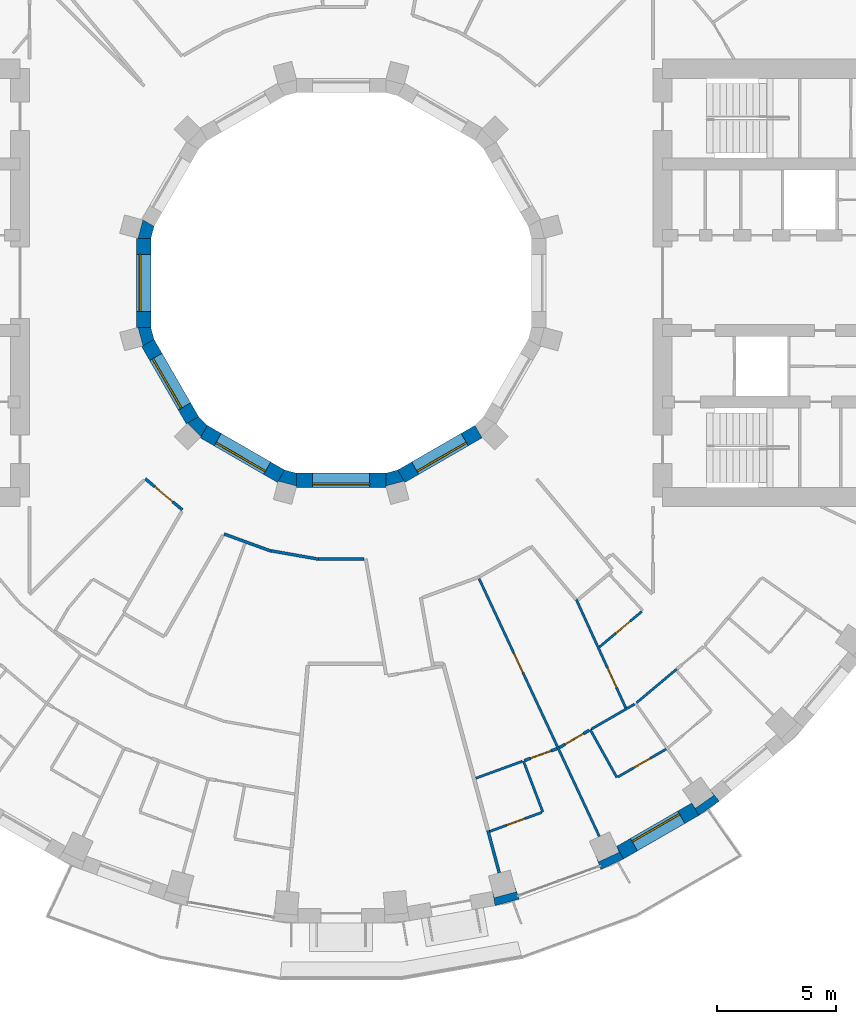
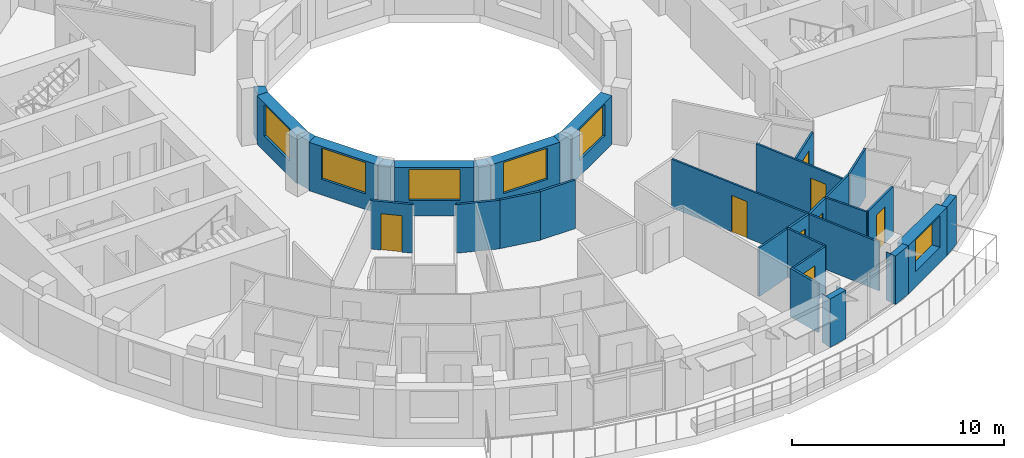
# One storey, part 8 of 16: 31 walls, 8 doors, 6 windows, 14 openings.
"""IFC4 building model written with IfcOpenShell, lengths in metres."""

from ifc_helpers import new_model, si_unit, direction, frame, frame_2d, origin, place, context, subcontext, project, spatial, polyline, rectangle, outline, extrude, material, layer, layer_set, type_object, element, fill, save


model = new_model("IFC4")

# Units and contexts
model_context = context("Model", 3, precision=1e-05, world=origin(), true_north=direction((0.0, 1.0)))
body_context = subcontext(model_context, "Body", "Model", "MODEL_VIEW")
ifc_project = project(units=[si_unit("LENGTHUNIT", "METRE"), si_unit("AREAUNIT", "SQUARE_METRE"), si_unit("VOLUMEUNIT", "CUBIC_METRE"), si_unit("PLANEANGLEUNIT", "RADIAN"), si_unit("MASSUNIT", "GRAM", prefix="KILO")], contexts=[model_context])

# Site, building, storey
site_placement = place(None, origin())
site = spatial("IfcSite", under=ifc_project, at=site_placement, CompositionType="ELEMENT")
building_placement = place(site_placement, origin())
building = spatial("IfcBuilding", under=site, at=building_placement, Name="Saqina Gate Tower", CompositionType="ELEMENT")
storey_placement = place(building_placement, frame((0.0, 0.0, 144.699951171875)))
storey = spatial("IfcBuildingStorey", under=building, at=storey_placement, Name="L41", CompositionType="ELEMENT", Elevation=144.699951171875)

# Walls
ifc_material_1 = material(Name="Brick masonry (buff)", Category="masonry")
wall_type_1 = type_object("IfcWallType", Name="BRICK PIER COPING BUFF", PredefinedType="SOLIDWALL", material=ifc_material_1)
wall_1_placement = place(storey_placement, origin())
element("IfcWall", 1, at=wall_1_placement, inside=storey, type_object=wall_type_1, Name="Pier cap L41 column 29", PredefinedType="SOLIDWALL", context=body_context, shape_type="SweptSolid", body=[
    extrude(outline(polyline([(6.466796875, -26.171875), (7.485595703125, -25.89892578125), (7.2802734375, -25.335205078125), (7.349853515625, -25.5947265625), (6.43212890625, -25.8408203125), (6.36279296875, -25.5810546875), (6.466796875, -26.171875)])), origin(), (0.0, 0.0, 1.0), 2.800048828125),
])
wall_2_placement = place(storey_placement, origin())
element("IfcWall", 2, at=wall_2_placement, inside=storey, type_object=wall_type_1, Name="Pier cap L41 column 30", PredefinedType="SOLIDWALL", context=body_context, shape_type="SweptSolid", body=[
    extrude(outline(polyline([(10.913330078125, -24.6513671875), (11.869140625, -24.205810546875), (11.569091796875, -23.68603515625), (11.6826171875, -23.9296875), (10.82177734375, -24.331298828125), (10.7080078125, -24.08740234375), (10.913330078125, -24.6513671875)])), origin(), (0.0, 0.0, 1.0), 2.800048828125),
])
wall_3_placement = place(storey_placement, origin())
element("IfcWall", 3, at=wall_3_placement, inside=storey, type_object=wall_type_1, Name="Pier cap L41 column 31", PredefinedType="SOLIDWALL", context=body_context, shape_type="SweptSolid", body=[
    extrude(outline(polyline([(15.89208984375, -21.77685546875), (15.50634765625, -21.317138671875), (15.66064453125, -21.53759765625), (14.88232421875, -22.08251953125), (14.728271484375, -21.862060546875), (15.0283203125, -22.3818359375), (15.89208984375, -21.77685546875)])), origin(), (0.0, 0.0, 1.0), 2.800048828125),
])

# Wall, opening, window
ifc_material_2 = material(Name="Brick masonry (buff)", Category="masonry")
ifc_layer_1 = layer(ifc_material_2, 0.60009765625)
ifc_layer_set_1 = layer_set([ifc_layer_1], Name="FW-BRICK-BUFF")
wall_type_2 = type_object("IfcWallType", Name="FW-BRICK-BUFF", PredefinedType="SOLIDWALL", material=ifc_layer_set_1)
wall_4_placement = place(storey_placement, frame((11.718994140625, -23.94580078125, 0.0), z_axis=(0.0, 0.0, 1.0), x_axis=(0.866051847062, 0.499954196102, 0.0)))
wall_4 = element("IfcWall", 4, at=wall_4_placement, inside=storey, type_object=wall_type_2, Name="Facade wall L41 facet 30", PredefinedType="SOLIDWALL", context=body_context, shape_type="SweptSolid", body=[
    extrude(rectangle(XDim=3.647705078125, YDim=0.60009765625, at=frame_2d((1.82373046875, 0.0))), origin(), (0.0, 0.0, 1.0), 2.800048828125),
])
opening_1_placement = place(wall_4_placement, frame((0.673828125, 0.0, 0.89990234375)))
opening_1 = element("IfcOpeningElement", 5, at=opening_1_placement, cuts=wall_4, Name="Opening G12-W19", PredefinedType="OPENING", context=body_context, shape_type="SweptSolid", body=[
    extrude(rectangle(XDim=2.300048828125, YDim=1.800048828125, at=frame_2d((1.14990234375, 0.89990234375))), frame((0.0, 0.31201171875, 0.0), z_axis=(0.0, -1.0, 0.0), x_axis=(1.0, 0.0, 0.0)), (0.0, 0.0, 1.0), 0.6240234375),
])
ifc_material_3 = material(Name="Aluminium glazing", Category="aluminium")
window_type_1 = type_object("IfcWindowType", Name="WN-B", PartitioningType="SINGLE_PANEL", PredefinedType="WINDOW", material=ifc_material_3)
window_1_placement = place(opening_1_placement, origin())
window_1 = element("IfcWindow", 6, at=window_1_placement, inside=storey, type_object=window_type_1, Name="Window L41 facet 30", OverallHeight=1.800048828125, OverallWidth=2.300048828125, PartitioningType="SINGLE_PANEL", PredefinedType="WINDOW", context=body_context, shape_type="SweptSolid", body=[
    extrude(rectangle(XDim=2.300048828125, YDim=1.800048828125, at=frame_2d((1.14990234375, 0.89990234375))), frame((0.0, 0.179931640625, 0.0), z_axis=(0.0, -1.0, 0.0), x_axis=(1.0, 0.0, 0.0)), (0.0, 0.0, 1.0), 0.06005859375),
])
fill(opening_1, window_1)

ifc_material_4 = material(Name="Glazed ceramic tile", Category="ceramic")
ifc_layer_2 = layer(ifc_material_4, 0.60009765625)
ifc_layer_set_2 = layer_set([ifc_layer_2], Name="IW-TILE")
wall_type_3 = type_object("IfcWallType", Name="IW-TILE", PredefinedType="SOLIDWALL", material=ifc_layer_set_2)
wall_5_placement = place(storey_placement, frame((-8.300048828125, 1.873779296875, 0.0), z_axis=(0.0, 0.0, 1.0), x_axis=(0.0, -1.0, 0.0)))
wall_5 = element("IfcWall", 7, at=wall_5_placement, inside=storey, type_object=wall_type_3, Name="Well wall L41 facet 6", PredefinedType="SOLIDWALL", context=body_context, shape_type="SweptSolid", body=[
    extrude(rectangle(XDim=3.74755859375, YDim=0.60009765625, at=frame_2d((1.873779296875, 0.0))), origin(), (0.0, 0.0, 1.0), 2.800048828125),
])
opening_2_placement = place(wall_5_placement, frame((0.673583984375, 0.0, 0.89990234375)))
opening_2 = element("IfcOpeningElement", 8, at=opening_2_placement, cuts=wall_5, Name="Opening G12-W28", PredefinedType="OPENING", context=body_context, shape_type="SweptSolid", body=[
    extrude(rectangle(XDim=2.39990234375, YDim=1.800048828125, at=frame_2d((1.199951171875, 0.89990234375))), frame((0.0, 0.31201171875, 0.0), z_axis=(0.0, -1.0, 0.0), x_axis=(1.0, 0.0, 0.0)), (0.0, 0.0, 1.0), 0.6240234375),
])
ifc_material_5 = material(Name="Aluminium glazing", Category="aluminium")
window_type_2 = type_object("IfcWindowType", Name="WN-W", PartitioningType="SINGLE_PANEL", PredefinedType="WINDOW", material=ifc_material_5)
window_2_placement = place(opening_2_placement, origin())
window_2 = element("IfcWindow", 9, at=window_2_placement, inside=storey, type_object=window_type_2, Name="Well window L41 facet 6", OverallHeight=1.800048828125, OverallWidth=2.39990234375, PartitioningType="SINGLE_PANEL", PredefinedType="WINDOW", context=body_context, shape_type="SweptSolid", body=[
    extrude(rectangle(XDim=2.39990234375, YDim=1.800048828125, at=frame_2d((1.199951171875, 0.89990234375))), frame((0.0, -0.119873046875, 0.0), z_axis=(0.0, -1.0, 0.0), x_axis=(1.0, 0.0, 0.0)), (0.0, 0.0, 1.0), 0.06005859375),
])
fill(opening_2, window_2)

wall_6_placement = place(storey_placement, frame((-8.124755859375, -2.52734375, 0.0), z_axis=(0.0, 0.0, 1.0), x_axis=(0.499964958637, -0.86604563398, 0.0)))
wall_6 = element("IfcWall", 10, at=wall_6_placement, inside=storey, type_object=wall_type_3, Name="Well wall L41 facet 7", PredefinedType="SOLIDWALL", context=body_context, shape_type="SweptSolid", body=[
    extrude(rectangle(XDim=3.747314453125, YDim=0.60009765625, at=frame_2d((1.87353515625, 0.0))), origin(), (0.0, 0.0, 1.0), 2.800048828125),
])
opening_3_placement = place(wall_6_placement, frame((0.673583984375, 0.0, 0.89990234375)))
opening_3 = element("IfcOpeningElement", 11, at=opening_3_placement, cuts=wall_6, Name="Opening G12-W29", PredefinedType="OPENING", context=body_context, shape_type="SweptSolid", body=[
    extrude(rectangle(XDim=2.39990234375, YDim=1.800048828125, at=frame_2d((1.199951171875, 0.89990234375))), frame((0.0, 0.31201171875, 0.0), z_axis=(0.0, -1.0, 0.0), x_axis=(1.0, 0.0, 0.0)), (0.0, 0.0, 1.0), 0.6240234375),
])
window_3_placement = place(opening_3_placement, origin())
window_3 = element("IfcWindow", 12, at=window_3_placement, inside=storey, type_object=window_type_2, Name="Well window L41 facet 7", OverallHeight=1.800048828125, OverallWidth=2.39990234375, PartitioningType="SINGLE_PANEL", PredefinedType="WINDOW", context=body_context, shape_type="SweptSolid", body=[
    extrude(rectangle(XDim=2.39990234375, YDim=1.800048828125, at=frame_2d((1.199951171875, 0.89990234375))), frame((0.0, -0.119873046875, 0.0), z_axis=(0.0, -1.0, 0.0), x_axis=(1.0, 0.0, 0.0)), (0.0, 0.0, 1.0), 0.06005859375),
])
fill(opening_3, window_3)

wall_7_placement = place(storey_placement, frame((-5.772705078125, -6.251220703125, 0.0), z_axis=(0.0, 0.0, 1.0), x_axis=(0.86604563398, -0.499964958637, 0.0)))
wall_7 = element("IfcWall", 13, at=wall_7_placement, inside=storey, type_object=wall_type_3, Name="Well wall L41 facet 8", PredefinedType="SOLIDWALL", context=body_context, shape_type="SweptSolid", body=[
    extrude(rectangle(XDim=3.747314453125, YDim=0.60009765625, at=frame_2d((1.87353515625, 0.0))), origin(), (0.0, 0.0, 1.0), 2.800048828125),
])
opening_4_placement = place(wall_7_placement, frame((0.673583984375, 0.0, 0.89990234375)))
opening_4 = element("IfcOpeningElement", 14, at=opening_4_placement, cuts=wall_7, Name="Opening G12-W30", PredefinedType="OPENING", context=body_context, shape_type="SweptSolid", body=[
    extrude(rectangle(XDim=2.39990234375, YDim=1.800048828125, at=frame_2d((1.199951171875, 0.89990234375))), frame((0.0, 0.31201171875, 0.0), z_axis=(0.0, -1.0, 0.0), x_axis=(1.0, 0.0, 0.0)), (0.0, 0.0, 1.0), 0.6240234375),
])
window_4_placement = place(opening_4_placement, origin())
window_4 = element("IfcWindow", 15, at=window_4_placement, inside=storey, type_object=window_type_2, Name="Well window L41 facet 8", OverallHeight=1.800048828125, OverallWidth=2.39990234375, PartitioningType="SINGLE_PANEL", PredefinedType="WINDOW", context=body_context, shape_type="SweptSolid", body=[
    extrude(rectangle(XDim=2.39990234375, YDim=1.800048828125, at=frame_2d((1.199951171875, 0.89990234375))), frame((0.0, -0.119873046875, 0.0), z_axis=(0.0, -1.0, 0.0), x_axis=(1.0, 0.0, 0.0)), (0.0, 0.0, 1.0), 0.06005859375),
])
fill(opening_4, window_4)

wall_8_placement = place(storey_placement, frame((-1.873779296875, -8.300048828125, 0.0), z_axis=(0.0, 0.0, 1.0), x_axis=(1.0, 0.0, 0.0)))
wall_8 = element("IfcWall", 16, at=wall_8_placement, inside=storey, type_object=wall_type_3, Name="Well wall L41 facet 9", PredefinedType="SOLIDWALL", context=body_context, shape_type="SweptSolid", body=[
    extrude(rectangle(XDim=3.74755859375, YDim=0.60009765625, at=frame_2d((1.873779296875, 0.0))), origin(), (0.0, 0.0, 1.0), 2.800048828125),
])
opening_5_placement = place(wall_8_placement, frame((0.673583984375, 0.0, 0.89990234375)))
opening_5 = element("IfcOpeningElement", 17, at=opening_5_placement, cuts=wall_8, Name="Opening G12-W31", PredefinedType="OPENING", context=body_context, shape_type="SweptSolid", body=[
    extrude(rectangle(XDim=2.39990234375, YDim=1.800048828125, at=frame_2d((1.199951171875, 0.89990234375))), frame((0.0, 0.31201171875, 0.0), z_axis=(0.0, -1.0, 0.0), x_axis=(1.0, 0.0, 0.0)), (0.0, 0.0, 1.0), 0.6240234375),
])
window_5_placement = place(opening_5_placement, origin())
window_5 = element("IfcWindow", 18, at=window_5_placement, inside=storey, type_object=window_type_2, Name="Well window L41 facet 9", OverallHeight=1.800048828125, OverallWidth=2.39990234375, PartitioningType="SINGLE_PANEL", PredefinedType="WINDOW", context=body_context, shape_type="SweptSolid", body=[
    extrude(rectangle(XDim=2.39990234375, YDim=1.800048828125, at=frame_2d((1.199951171875, 0.89990234375))), frame((0.0, -0.119873046875, 0.0), z_axis=(0.0, -1.0, 0.0), x_axis=(1.0, 0.0, 0.0)), (0.0, 0.0, 1.0), 0.06005859375),
])
fill(opening_5, window_5)

wall_9_placement = place(storey_placement, frame((2.52734375, -8.124755859375, 0.0), z_axis=(0.0, 0.0, 1.0), x_axis=(0.86604563398, 0.499964958637, 0.0)))
wall_9 = element("IfcWall", 19, at=wall_9_placement, inside=storey, type_object=wall_type_3, Name="Well wall L41 facet 10", PredefinedType="SOLIDWALL", context=body_context, shape_type="SweptSolid", body=[
    extrude(rectangle(XDim=3.747314453125, YDim=0.60009765625, at=frame_2d((1.87353515625, 0.0))), origin(), (0.0, 0.0, 1.0), 2.800048828125),
])
opening_6_placement = place(wall_9_placement, frame((0.673583984375, 0.0, 0.89990234375)))
opening_6 = element("IfcOpeningElement", 20, at=opening_6_placement, cuts=wall_9, Name="Opening G12-W32", PredefinedType="OPENING", context=body_context, shape_type="SweptSolid", body=[
    extrude(rectangle(XDim=2.39990234375, YDim=1.800048828125, at=frame_2d((1.199951171875, 0.89990234375))), frame((0.0, 0.31201171875, 0.0), z_axis=(0.0, -1.0, 0.0), x_axis=(1.0, 0.0, 0.0)), (0.0, 0.0, 1.0), 0.6240234375),
])
window_6_placement = place(opening_6_placement, origin())
window_6 = element("IfcWindow", 21, at=window_6_placement, inside=storey, type_object=window_type_2, Name="Well window L41 facet 10", OverallHeight=1.800048828125, OverallWidth=2.39990234375, PartitioningType="SINGLE_PANEL", PredefinedType="WINDOW", context=body_context, shape_type="SweptSolid", body=[
    extrude(rectangle(XDim=2.39990234375, YDim=1.800048828125, at=frame_2d((1.199951171875, 0.89990234375))), frame((0.0, -0.119873046875, 0.0), z_axis=(0.0, -1.0, 0.0), x_axis=(1.0, 0.0, 0.0)), (0.0, 0.0, 1.0), 0.06005859375),
])
fill(opening_6, window_6)

# Wall
ifc_material_6 = material(Name="Gypsum board on steel studs, 100 mm", Category="steel")
ifc_layer_3 = layer(ifc_material_6, 0.10009765625)
ifc_layer_set_3 = layer_set([ifc_layer_3], Name="PARTITION 100")
wall_type_4 = type_object("IfcWallType", Name="PARTITION 100", PredefinedType="PARTITIONING", material=ifc_layer_set_3)
wall_10_placement = place(storey_placement, frame((7.656982421875, -20.090087890625, 0.0), z_axis=(0.0, 0.0, 1.0), x_axis=(0.35616749028, -0.934422130981, 0.0)))
element("IfcWall", 22, at=wall_10_placement, inside=storey, type_object=wall_type_4, Name="PARTITION PW3-06", PredefinedType="PARTITIONING", context=body_context, shape_type="SweptSolid", body=[
    extrude(rectangle(XDim=2.2998046875, YDim=0.10009765625, at=frame_2d((1.14990234375, 0.0))), origin(), (0.0, 0.0, 1.0), 2.800048828125),
])

# Wall, opening, door
wall_11_placement = place(storey_placement, frame((9.882568359375, -13.311767578125, 0.0), z_axis=(0.0, 0.0, 1.0), x_axis=(0.415273903312, -0.909696424764, 0.0)))
wall_11 = element("IfcWall", 23, at=wall_11_placement, inside=storey, type_object=wall_type_4, Name="PARTITION PW3-07", PredefinedType="PARTITIONING", context=body_context, shape_type="SweptSolid", body=[
    extrude(rectangle(XDim=5.0, YDim=0.10009765625, at=frame_2d((2.5, 0.0))), origin(), (0.0, 0.0, 1.0), 2.800048828125),
])
opening_7_placement = place(wall_11_placement, frame((3.16552734375, 0.0, 0.0)))
opening_7 = element("IfcOpeningElement", 24, at=opening_7_placement, cuts=wall_11, Name="Opening G12-D54", PredefinedType="OPENING", context=body_context, shape_type="SweptSolid", body=[
    extrude(rectangle(XDim=0.89990234375, YDim=2.10009765625, at=frame_2d((0.449951171875, 1.050048828125))), frame((0.0, 0.06201171875, 0.0), z_axis=(0.0, -1.0, 0.0), x_axis=(1.0, 0.0, 0.0)), (0.0, 0.0, 1.0), 0.1240234375),
])
ifc_material_7 = material(Name="Timber door leaf, 900 mm", Category="wood")
door_type_1 = type_object("IfcDoorType", Name="DOOR 900 TIMBER", OperationType="SINGLE_SWING_LEFT", PredefinedType="DOOR", material=ifc_material_7)
door_1_placement = place(opening_7_placement, origin())
door_1 = element("IfcDoor", 25, at=door_1_placement, inside=storey, type_object=door_type_1, Name="DOOR G12-D54", OperationType="SINGLE_SWING_RIGHT", OverallHeight=2.10009765625, OverallWidth=0.89990234375, PredefinedType="DOOR", context=body_context, shape_type="SweptSolid", body=[
    extrude(rectangle(XDim=0.89990234375, YDim=2.10009765625, at=frame_2d((0.449951171875, 1.050048828125))), frame((0.0, 0.02490234375, 0.0), z_axis=(0.0, -1.0, 0.0), x_axis=(1.0, 0.0, 0.0)), (0.0, 0.0, 1.0), 0.050048828125),
])
fill(opening_7, door_1)

wall_12_placement = place(storey_placement, frame((5.79443359375, -12.429931640625, 0.0), z_axis=(0.0, 0.0, 1.0), x_axis=(0.422795993745, -0.906224888023, 0.0)))
wall_12 = element("IfcWall", 26, at=wall_12_placement, inside=storey, type_object=wall_type_4, Name="PARTITION PW3-09", PredefinedType="PARTITIONING", context=body_context, shape_type="SweptSolid", body=[
    extrude(rectangle(XDim=11.95068359375, YDim=0.10009765625, at=frame_2d((5.975341796875, 0.0))), origin(), (0.0, 0.0, 1.0), 2.800048828125),
])
opening_8_placement = place(wall_12_placement, frame((3.45068359375, 0.0, 0.0)))
opening_8 = element("IfcOpeningElement", 27, at=opening_8_placement, cuts=wall_12, Name="Opening G12-D51", PredefinedType="OPENING", context=body_context, shape_type="SweptSolid", body=[
    extrude(rectangle(XDim=0.89990234375, YDim=2.10009765625, at=frame_2d((0.449951171875, 1.050048828125))), frame((0.0, 0.06201171875, 0.0), z_axis=(0.0, -1.0, 0.0), x_axis=(1.0, 0.0, 0.0)), (0.0, 0.0, 1.0), 0.1240234375),
])
door_2_placement = place(opening_8_placement, origin())
door_2 = element("IfcDoor", 28, at=door_2_placement, inside=storey, type_object=door_type_1, Name="DOOR G12-D51", OperationType="SINGLE_SWING_LEFT", OverallHeight=2.10009765625, OverallWidth=0.89990234375, PredefinedType="DOOR", context=body_context, shape_type="SweptSolid", body=[
    extrude(rectangle(XDim=0.89990234375, YDim=2.10009765625, at=frame_2d((0.449951171875, 1.050048828125))), frame((0.0, 0.02490234375, 0.0), z_axis=(0.0, -1.0, 0.0), x_axis=(1.0, 0.0, 0.0)), (0.0, 0.0, 1.0), 0.050048828125),
])
fill(opening_8, door_2)

# Wall
wall_13_placement = place(storey_placement, frame((10.468017578125, -18.779052734375, 0.0), z_axis=(0.0, 0.0, 1.0), x_axis=(0.486886136125, -0.873465448915, 0.0)))
element("IfcWall", 29, at=wall_13_placement, inside=storey, type_object=wall_type_4, Name="PARTITION PW3-10", PredefinedType="PARTITIONING", context=body_context, shape_type="SweptSolid", body=[
    extrude(rectangle(XDim=2.300048828125, YDim=0.10009765625, at=frame_2d((1.14990234375, 0.0))), origin(), (0.0, 0.0, 1.0), 2.800048828125),
])

# Wall, opening, door
wall_14_placement = place(storey_placement, frame((6.24169921875, -23.052734375, 0.0), z_axis=(0.0, 0.0, 1.0), x_axis=(0.939618756308, 0.342223016166, 0.0)))
wall_14 = element("IfcWall", 30, at=wall_14_placement, inside=storey, type_object=wall_type_4, Name="PARTITION PW3-67", PredefinedType="PARTITIONING", context=body_context, shape_type="SweptSolid", body=[
    extrude(rectangle(XDim=2.327880859375, YDim=0.10009765625, at=frame_2d((1.1640625, 0.0))), origin(), (0.0, 0.0, 1.0), 2.800048828125),
])
opening_9_placement = place(wall_14_placement, frame((0.7578125, 0.0, 0.0)))
opening_9 = element("IfcOpeningElement", 31, at=opening_9_placement, cuts=wall_14, Name="Opening G12-D49", PredefinedType="OPENING", context=body_context, shape_type="SweptSolid", body=[
    extrude(rectangle(XDim=0.800048828125, YDim=2.10009765625, at=frame_2d((0.39990234375, 1.050048828125))), frame((0.0, 0.06201171875, 0.0), z_axis=(0.0, -1.0, 0.0), x_axis=(1.0, 0.0, 0.0)), (0.0, 0.0, 1.0), 0.1240234375),
])
ifc_material_8 = material(Name="Timber door leaf, 800 mm", Category="wood")
door_type_2 = type_object("IfcDoorType", Name="DOOR 800 TIMBER", OperationType="SINGLE_SWING_LEFT", PredefinedType="DOOR", material=ifc_material_8)
door_3_placement = place(opening_9_placement, frame((0.800048828125, 0.0, 0.0), z_axis=(0.0, 0.0, 1.0), x_axis=(-1.0, 0.0, 0.0)))
door_3 = element("IfcDoor", 32, at=door_3_placement, inside=storey, type_object=door_type_2, Name="DOOR G12-D49", OperationType="SINGLE_SWING_RIGHT", OverallHeight=2.10009765625, OverallWidth=0.800048828125, PredefinedType="DOOR", context=body_context, shape_type="SweptSolid", body=[
    extrude(rectangle(XDim=0.800048828125, YDim=2.10009765625, at=frame_2d((0.39990234375, 1.050048828125))), frame((0.0, 0.02490234375, 0.0), z_axis=(0.0, -1.0, 0.0), x_axis=(1.0, 0.0, 0.0)), (0.0, 0.0, 1.0), 0.050048828125),
])
fill(opening_9, door_3)

# Wall
wall_15_placement = place(storey_placement, frame((5.655517578125, -20.818359375, 0.0), z_axis=(0.0, 0.0, 1.0), x_axis=(0.939728291625, 0.341922122596, 0.0)))
element("IfcWall", 33, at=wall_15_placement, inside=storey, type_object=wall_type_4, Name="PARTITION PW3-68", PredefinedType="PARTITIONING", context=body_context, shape_type="SweptSolid", body=[
    extrude(rectangle(XDim=2.079833984375, YDim=0.10009765625, at=frame_2d((1.0400390625, 0.0))), origin(), (0.0, 0.0, 1.0), 2.800048828125),
])

# Wall, opening, door
wall_16_placement = place(storey_placement, frame((11.63134765625, -20.762939453125, 0.0), z_axis=(0.0, 0.0, 1.0), x_axis=(0.866130014302, 0.499818765479, 0.0)))
wall_16 = element("IfcWall", 34, at=wall_16_placement, inside=storey, type_object=wall_type_4, Name="PARTITION PW3-73", PredefinedType="PARTITIONING", context=body_context, shape_type="SweptSolid", body=[
    extrude(rectangle(XDim=2.340576171875, YDim=0.10009765625, at=frame_2d((1.17041015625, 0.0))), origin(), (0.0, 0.0, 1.0), 2.800048828125),
])
opening_10_placement = place(wall_16_placement, frame((0.7705078125, 0.0, 0.0)))
opening_10 = element("IfcOpeningElement", 35, at=opening_10_placement, cuts=wall_16, Name="Opening G12-D53", PredefinedType="OPENING", context=body_context, shape_type="SweptSolid", body=[
    extrude(rectangle(XDim=0.800048828125, YDim=2.10009765625, at=frame_2d((0.39990234375, 1.050048828125))), frame((0.0, 0.06201171875, 0.0), z_axis=(0.0, -1.0, 0.0), x_axis=(1.0, 0.0, 0.0)), (0.0, 0.0, 1.0), 0.1240234375),
])
door_4_placement = place(opening_10_placement, frame((0.800048828125, 0.0, 0.0), z_axis=(0.0, 0.0, 1.0), x_axis=(-1.0, 0.0, 0.0)))
door_4 = element("IfcDoor", 36, at=door_4_placement, inside=storey, type_object=door_type_2, Name="DOOR G12-D53", OperationType="SINGLE_SWING_LEFT", OverallHeight=2.10009765625, OverallWidth=0.800048828125, PredefinedType="DOOR", context=body_context, shape_type="SweptSolid", body=[
    extrude(rectangle(XDim=0.800048828125, YDim=2.10009765625, at=frame_2d((0.39990234375, 1.050048828125))), frame((0.0, 0.02490234375, 0.0), z_axis=(0.0, -1.0, 0.0), x_axis=(1.0, 0.0, 0.0)), (0.0, 0.0, 1.0), 0.050048828125),
])
fill(opening_10, door_4)

# Walls
wall_17_placement = place(storey_placement, frame((10.51123046875, -18.75390625, 0.0), z_axis=(0.0, 0.0, 1.0), x_axis=(0.866071606143, 0.499919966627, 0.0)))
element("IfcWall", 37, at=wall_17_placement, inside=storey, type_object=wall_type_4, Name="PARTITION PW3-74", PredefinedType="PARTITIONING", context=body_context, shape_type="SweptSolid", body=[
    extrude(rectangle(XDim=2.104248046875, YDim=0.10009765625, at=frame_2d((1.05224609375, 0.0))), origin(), (0.0, 0.0, 1.0), 2.800048828125),
])
wall_18_placement = place(storey_placement, frame((12.415283203125, -17.644775390625, 0.0), z_axis=(0.0, 0.0, 1.0), x_axis=(0.766093039246, 0.642729690631, 0.0)))
element("IfcWall", 38, at=wall_18_placement, inside=storey, type_object=wall_type_4, Name="PARTITION PW3-81", PredefinedType="PARTITIONING", context=body_context, shape_type="SweptSolid", body=[
    extrude(rectangle(XDim=2.20458984375, YDim=0.10009765625, at=frame_2d((1.102294921875, 0.0))), origin(), (0.0, 0.0, 1.0), 2.800048828125),
])

# Wall, opening, door
wall_19_placement = place(storey_placement, frame((10.848388671875, -15.30712890625, 0.0), z_axis=(0.0, 0.0, 1.0), x_axis=(0.766356114298, 0.642415991456, 0.0)))
wall_19 = element("IfcWall", 39, at=wall_19_placement, inside=storey, type_object=wall_type_4, Name="PARTITION PW3-82", PredefinedType="PARTITIONING", context=body_context, shape_type="SweptSolid", body=[
    extrude(rectangle(XDim=2.332275390625, YDim=0.10009765625, at=frame_2d((1.166015625, 0.0))), origin(), (0.0, 0.0, 1.0), 2.800048828125),
])
opening_11_placement = place(wall_19_placement, frame((0.90234375, 0.0, 0.0)))
opening_11 = element("IfcOpeningElement", 40, at=opening_11_placement, cuts=wall_19, Name="Opening G12-D56", PredefinedType="OPENING", context=body_context, shape_type="SweptSolid", body=[
    extrude(rectangle(XDim=0.800048828125, YDim=2.10009765625, at=frame_2d((0.39990234375, 1.050048828125))), frame((0.0, 0.06201171875, 0.0), z_axis=(0.0, -1.0, 0.0), x_axis=(1.0, 0.0, 0.0)), (0.0, 0.0, 1.0), 0.1240234375),
])
door_5_placement = place(opening_11_placement, frame((0.800048828125, 0.0, 0.0), z_axis=(0.0, 0.0, 1.0), x_axis=(-1.0, 0.0, 0.0)))
door_5 = element("IfcDoor", 41, at=door_5_placement, inside=storey, type_object=door_type_2, Name="DOOR G12-D56", OperationType="SINGLE_SWING_LEFT", OverallHeight=2.10009765625, OverallWidth=0.800048828125, PredefinedType="DOOR", context=body_context, shape_type="SweptSolid", body=[
    extrude(rectangle(XDim=0.800048828125, YDim=2.10009765625, at=frame_2d((0.39990234375, 1.050048828125))), frame((0.0, 0.02490234375, 0.0), z_axis=(0.0, -1.0, 0.0), x_axis=(1.0, 0.0, 0.0)), (0.0, 0.0, 1.0), 0.050048828125),
])
fill(opening_11, door_5)

# Wall
ifc_material_9 = material(Name="Gypsum board on steel studs, 125 mm, fire rated", Category="steel")
ifc_layer_4 = layer(ifc_material_9, 0.125)
ifc_layer_set_4 = layer_set([ifc_layer_4], Name="PARTITION EI 30 125")
wall_type_5 = type_object("IfcWallType", Name="PARTITION EI 30 125", PredefinedType="PARTITIONING", material=ifc_layer_set_4)
wall_20_placement = place(storey_placement, frame((6.166259765625, -23.013671875, 0.0), z_axis=(0.0, 0.0, 1.0), x_axis=(0.258802424466, -0.965930279622, 0.0)))
element("IfcWall", 42, at=wall_20_placement, inside=storey, type_object=wall_type_5, Name="PARTITION PW1-03", PredefinedType="PARTITIONING", context=body_context, shape_type="SweptSolid", body=[
    extrude(rectangle(XDim=1.839599609375, YDim=0.125, at=frame_2d((0.919921875, 0.0))), origin(), (0.0, 0.0, 1.0), 2.800048828125),
])

# Wall, opening, door
wall_21_placement = place(storey_placement, frame((-8.23291015625, -8.23193359375, 0.0), z_axis=(0.0, 0.0, 1.0), x_axis=(0.766275589864, -0.642512039092, 0.0)))
wall_21 = element("IfcWall", 43, at=wall_21_placement, inside=storey, type_object=wall_type_5, Name="PARTITION PW1-12", PredefinedType="PARTITIONING", context=body_context, shape_type="SweptSolid", body=[
    extrude(rectangle(XDim=2.02978515625, YDim=0.125, at=frame_2d((1.014892578125, 0.0))), origin(), (0.0, 0.0, 1.0), 2.800048828125),
])
opening_12_placement = place(wall_21_placement, frame((0.5146484375, 0.0, 0.0)))
opening_12 = element("IfcOpeningElement", 44, at=opening_12_placement, cuts=wall_21, Name="Opening G12-D37", PredefinedType="OPENING", context=body_context, shape_type="SweptSolid", body=[
    extrude(rectangle(XDim=1.0, YDim=2.10009765625, at=frame_2d((0.5, 1.050048828125))), frame((0.0, 0.074462890625, 0.0), z_axis=(0.0, -1.0, 0.0), x_axis=(1.0, 0.0, 0.0)), (0.0, 0.0, 1.0), 0.14892578125),
])
ifc_material_10 = material(Name="Fire door leaf EI 30, 1000 mm")
door_type_3 = type_object("IfcDoorType", Name="DOOR 1000 EI 30", OperationType="SINGLE_SWING_LEFT", PredefinedType="DOOR", material=ifc_material_10)
door_6_placement = place(opening_12_placement, frame((1.0, 0.0, 0.0), z_axis=(0.0, 0.0, 1.0), x_axis=(-1.0, 0.0, 0.0)))
door_6 = element("IfcDoor", 45, at=door_6_placement, inside=storey, type_object=door_type_3, Name="DOOR G12-D37", OperationType="SINGLE_SWING_RIGHT", OverallHeight=2.10009765625, OverallWidth=1.0, PredefinedType="DOOR", context=body_context, shape_type="SweptSolid", body=[
    extrude(rectangle(XDim=1.0, YDim=2.10009765625, at=frame_2d((0.5, 1.050048828125))), frame((0.0, 0.02490234375, 0.0), z_axis=(0.0, -1.0, 0.0), x_axis=(1.0, 0.0, 0.0)), (0.0, 0.0, 1.0), 0.050048828125),
])
fill(opening_12, door_6)

# Walls
wall_22_placement = place(storey_placement, frame((-4.9208984375, -10.552978515625, 0.0), z_axis=(0.0, 0.0, 1.0), x_axis=(0.939408005118, -0.342801108399, 0.0)))
element("IfcWall", 46, at=wall_22_placement, inside=storey, type_object=wall_type_5, Name="PARTITION PW1-22", PredefinedType="PARTITIONING", context=body_context, shape_type="SweptSolid", body=[
    extrude(rectangle(XDim=2.093017578125, YDim=0.125, at=frame_2d((1.04638671875, 0.0))), origin(), (0.0, 0.0, 1.0), 2.800048828125),
])
wall_23_placement = place(storey_placement, frame((-2.952392578125, -11.2587890625, 0.0), z_axis=(0.0, 0.0, 1.0), x_axis=(0.984837972304, -0.173476708256, 0.0)))
element("IfcWall", 47, at=wall_23_placement, inside=storey, type_object=wall_type_5, Name="PARTITION PW1-25", PredefinedType="PARTITIONING", context=body_context, shape_type="SweptSolid", body=[
    extrude(rectangle(XDim=2.03076171875, YDim=0.125, at=frame_2d((1.015380859375, 0.0))), origin(), (0.0, 0.0, 1.0), 2.800048828125),
])
wall_24_placement = place(storey_placement, frame((-0.952392578125, -11.60009765625, 0.0), z_axis=(0.0, 0.0, 1.0), x_axis=(1.0, 0.0, 0.0)))
element("IfcWall", 48, at=wall_24_placement, inside=storey, type_object=wall_type_5, Name="PARTITION PW1-28", PredefinedType="PARTITIONING", context=body_context, shape_type="SweptSolid", body=[
    extrude(rectangle(XDim=1.90478515625, YDim=0.125, at=frame_2d((0.952392578125, 0.0))), origin(), (0.0, 0.0, 1.0), 2.800048828125),
])

# Wall, opening, door
wall_25_placement = place(storey_placement, frame((7.7041015625, -20.072998046875, 0.0), z_axis=(0.0, 0.0, 1.0), x_axis=(0.939788529673, 0.341756520778, 0.0)))
wall_25 = element("IfcWall", 49, at=wall_25_placement, inside=storey, type_object=wall_type_5, Name="PARTITION PW1-34", PredefinedType="PARTITIONING", context=body_context, shape_type="SweptSolid", body=[
    extrude(rectangle(XDim=1.45654296875, YDim=0.125, at=frame_2d((0.728271484375, 0.0))), origin(), (0.0, 0.0, 1.0), 2.800048828125),
])
opening_13_placement = place(wall_25_placement, frame((0.2783203125, 0.0, 0.0)))
opening_13 = element("IfcOpeningElement", 50, at=opening_13_placement, cuts=wall_25, Name="Opening G12-D50", PredefinedType="OPENING", context=body_context, shape_type="SweptSolid", body=[
    extrude(rectangle(XDim=0.89990234375, YDim=2.10009765625, at=frame_2d((0.449951171875, 1.050048828125))), frame((0.0, 0.074462890625, 0.0), z_axis=(0.0, -1.0, 0.0), x_axis=(1.0, 0.0, 0.0)), (0.0, 0.0, 1.0), 0.14892578125),
])
ifc_material_11 = material(Name="Fire door leaf EI 30, 900 mm")
door_type_4 = type_object("IfcDoorType", Name="DOOR 900 EI 30", OperationType="SINGLE_SWING_LEFT", PredefinedType="DOOR", material=ifc_material_11)
door_7_placement = place(opening_13_placement, origin())
door_7 = element("IfcDoor", 51, at=door_7_placement, inside=storey, type_object=door_type_4, Name="DOOR G12-D50", OperationType="SINGLE_SWING_RIGHT", OverallHeight=2.10009765625, OverallWidth=0.89990234375, PredefinedType="DOOR", context=body_context, shape_type="SweptSolid", body=[
    extrude(rectangle(XDim=0.89990234375, YDim=2.10009765625, at=frame_2d((0.449951171875, 1.050048828125))), frame((0.0, 0.02490234375, 0.0), z_axis=(0.0, -1.0, 0.0), x_axis=(1.0, 0.0, 0.0)), (0.0, 0.0, 1.0), 0.050048828125),
])
fill(opening_13, door_7)

wall_26_placement = place(storey_placement, frame((9.163330078125, -19.532958984375, 0.0), z_axis=(0.0, 0.0, 1.0), x_axis=(0.865819905352, 0.500355764928, 0.0)))
wall_26 = element("IfcWall", 52, at=wall_26_placement, inside=storey, type_object=wall_type_5, Name="PARTITION PW1-38", PredefinedType="PARTITIONING", context=body_context, shape_type="SweptSolid", body=[
    extrude(rectangle(XDim=1.45703125, YDim=0.125, at=frame_2d((0.728515625, 0.0))), origin(), (0.0, 0.0, 1.0), 2.800048828125),
])
opening_14_placement = place(wall_26_placement, frame((0.278564453125, 0.0, 0.0)))
opening_14 = element("IfcOpeningElement", 53, at=opening_14_placement, cuts=wall_26, Name="Opening G12-D52", PredefinedType="OPENING", context=body_context, shape_type="SweptSolid", body=[
    extrude(rectangle(XDim=0.89990234375, YDim=2.10009765625, at=frame_2d((0.449951171875, 1.050048828125))), frame((0.0, 0.074462890625, 0.0), z_axis=(0.0, -1.0, 0.0), x_axis=(1.0, 0.0, 0.0)), (0.0, 0.0, 1.0), 0.14892578125),
])
door_8_placement = place(opening_14_placement, origin())
door_8 = element("IfcDoor", 54, at=door_8_placement, inside=storey, type_object=door_type_4, Name="DOOR G12-D52", OperationType="SINGLE_SWING_LEFT", OverallHeight=2.10009765625, OverallWidth=0.89990234375, PredefinedType="DOOR", context=body_context, shape_type="SweptSolid", body=[
    extrude(rectangle(XDim=0.89990234375, YDim=2.10009765625, at=frame_2d((0.449951171875, 1.050048828125))), frame((0.0, 0.02490234375, 0.0), z_axis=(0.0, -1.0, 0.0), x_axis=(1.0, 0.0, 0.0)), (0.0, 0.0, 1.0), 0.050048828125),
])
fill(opening_14, door_8)

# Walls
ifc_material_12 = material(Name="Glazed ceramic tile", Category="ceramic")
wall_type_6 = type_object("IfcWallType", Name="TILE PIER COPING", PredefinedType="SOLIDWALL", material=ifc_material_12)
wall_27_placement = place(storey_placement, origin())
element("IfcWall", 55, at=wall_27_placement, inside=storey, type_object=wall_type_6, Name="Well pier cap L41 column 6", PredefinedType="SOLIDWALL", context=body_context, shape_type="SweptSolid", body=[
    extrude(outline(polyline([(-8.5380859375, 1.873779296875), (-8.0, 1.873779296875), (-7.864990234375, 2.377197265625), (-8.3310546875, 2.646484375), (-8.5380859375, 1.873779296875)])), origin(), (0.0, 0.0, 1.0), 2.800048828125),
])
wall_28_placement = place(storey_placement, origin())
element("IfcWall", 56, at=wall_28_placement, inside=storey, type_object=wall_type_6, Name="Well pier cap L41 column 7", PredefinedType="SOLIDWALL", context=body_context, shape_type="SweptSolid", body=[
    extrude(outline(polyline([(-8.3310546875, -2.646484375), (-7.864990234375, -2.377197265625), (-8.0, -1.873779296875), (-8.5380859375, -1.873779296875), (-8.3310546875, -2.646484375)])), origin(), (0.0, 0.0, 1.0), 2.800048828125),
])
wall_29_placement = place(storey_placement, origin())
element("IfcWall", 57, at=wall_29_placement, inside=storey, type_object=wall_type_6, Name="Well pier cap L41 column 8", PredefinedType="SOLIDWALL", context=body_context, shape_type="SweptSolid", body=[
    extrude(outline(polyline([(-6.45751953125, -5.891845703125), (-5.891845703125, -6.45751953125), (-5.622802734375, -5.991455078125), (-5.991455078125, -5.622802734375), (-6.45751953125, -5.891845703125)])), origin(), (0.0, 0.0, 1.0), 2.800048828125),
])
wall_30_placement = place(storey_placement, origin())
element("IfcWall", 58, at=wall_30_placement, inside=storey, type_object=wall_type_6, Name="Well pier cap L41 column 9", PredefinedType="SOLIDWALL", context=body_context, shape_type="SweptSolid", body=[
    extrude(outline(polyline([(-1.873779296875, -8.5380859375), (-1.873779296875, -8.0), (-2.377197265625, -7.864990234375), (-2.646484375, -8.3310546875), (-1.873779296875, -8.5380859375)])), origin(), (0.0, 0.0, 1.0), 2.800048828125),
])
wall_31_placement = place(storey_placement, origin())
element("IfcWall", 59, at=wall_31_placement, inside=storey, type_object=wall_type_6, Name="Well pier cap L41 column 10", PredefinedType="SOLIDWALL", context=body_context, shape_type="SweptSolid", body=[
    extrude(outline(polyline([(2.646484375, -8.3310546875), (2.377197265625, -7.864990234375), (1.873779296875, -8.0), (1.873779296875, -8.5380859375), (2.646484375, -8.3310546875)])), origin(), (0.0, 0.0, 1.0), 2.800048828125),
])

save(model, "model.ifc")
